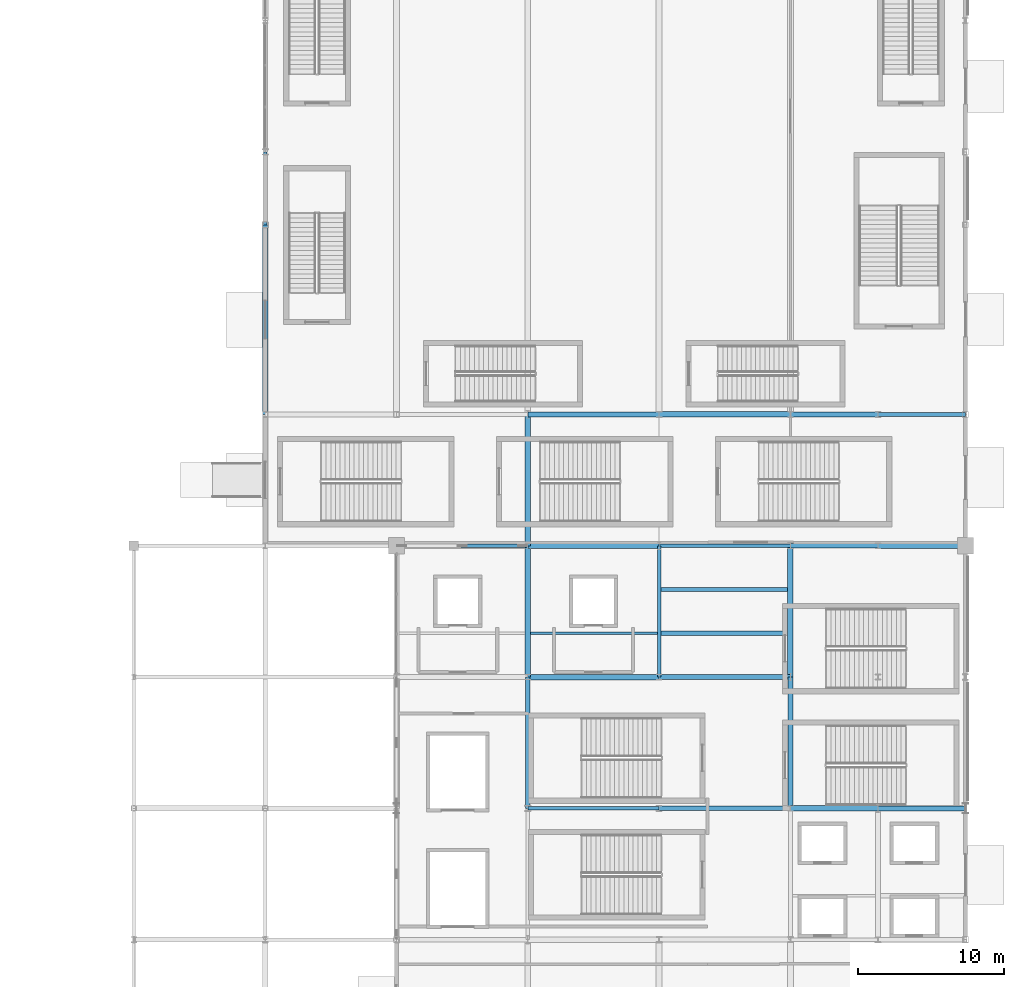
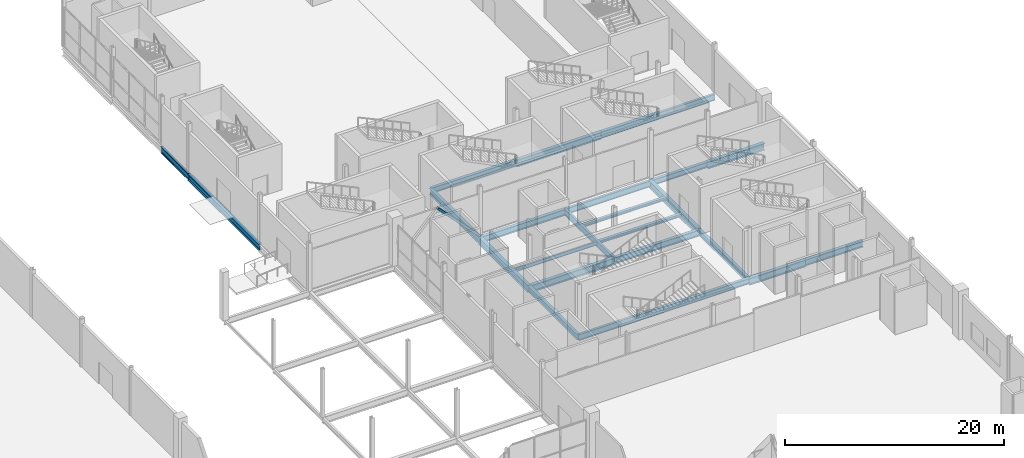
# One storey, part 36 of 94: 25 beams, 1 member.
"""IFC4 building model written with IfcOpenShell, lengths in metres."""

from ifc_helpers import new_model, si_unit, direction, frame, origin, origin_2d, place, context, subcontext, project, spatial, hollow_rectangle, i_section, extrude, material, material_profile, profile_set, type_object, element, save


model = new_model("IFC4")

# Units and contexts
model_context = context("Model", 3, precision=1e-05, world=origin(), true_north=direction((0.0, 1.0)))
body_context = subcontext(model_context, "Body", "Model", "MODEL_VIEW")
ifc_project = project(units=[si_unit("LENGTHUNIT", "METRE"), si_unit("AREAUNIT", "SQUARE_METRE"), si_unit("VOLUMEUNIT", "CUBIC_METRE"), si_unit("PLANEANGLEUNIT", "RADIAN"), si_unit("MASSUNIT", "GRAM", prefix="KILO")], contexts=[model_context])

# Site, building, storey
site_placement = place(None, origin())
site = spatial("IfcSite", under=ifc_project, at=site_placement, CompositionType="ELEMENT")
building_placement = place(site_placement, origin())
building = spatial("IfcBuilding", under=site, at=building_placement, Name="Qamarlyn Nura Convention Centre", CompositionType="ELEMENT")
storey_placement = place(building_placement, origin())
storey = spatial("IfcBuildingStorey", under=building, at=storey_placement, Name="L00", CompositionType="ELEMENT", Elevation=0.0)

# Beams
ifc_material_1 = material(Name="Steel ASTM A992", Category="steel")
ifc_material_profile_1 = material_profile(ifc_material_1, i_section(OverallWidth=0.323974609375, OverallDepth=0.611083984375, WebThickness=0.0126953125, FlangeThickness=0.01904296875, FilletRadius=0.01611328125, at=origin_2d()), Name="W610X155")
ifc_profile_set_1 = profile_set([ifc_material_profile_1], Name="Steel ASTM A992")
beam_type_1 = type_object("IfcBeamType", Name="BM-GIRD-610", PredefinedType="BEAM", material=ifc_profile_set_1)
beam_1_placement = place(storey_placement, frame((171.0, 63.0, -0.5654296875), z_axis=(1.0, 0.0, 0.0), x_axis=(0.0, 1.0, 0.0)))
element("IfcBeam", 1, at=beam_1_placement, inside=storey, type_object=beam_type_1, Name="L00 girder H 15-16", PredefinedType="BEAM", context=body_context, shape_type="SweptSolid", body=[
    extrude(i_section(OverallWidth=0.323974609375, OverallDepth=0.611083984375, WebThickness=0.0126953125, FlangeThickness=0.01904296875, FilletRadius=0.01611328125, at=origin_2d()), origin(), (0.0, 0.0, 1.0), 9.0),
])
beam_2_placement = place(storey_placement, frame((180.0, 81.0, -0.58544921875), z_axis=(1.0, 0.0, 0.0), x_axis=(0.0, 1.0, 0.0)))
element("IfcBeam", 2, at=beam_2_placement, inside=storey, type_object=beam_type_1, Name="L00 girder K 16-17", PredefinedType="BEAM", context=body_context, shape_type="SweptSolid", body=[
    extrude(i_section(OverallWidth=0.323974609375, OverallDepth=0.611083984375, WebThickness=0.0126953125, FlangeThickness=0.01904296875, FilletRadius=0.01611328125, at=origin_2d()), origin(), (0.0, 0.0, 1.0), 6.0),
])
for number, where, z_axis, x_axis, name in (
    (3, (162.0, 90.0, -0.58544921875), (1.0, 0.0, 0.0), (0.0, 1.0, 0.0), "L00 girder L 14-15"),
    (4, (162.0, 63.0, -0.5654296875), (0.0, 1.0, 0.0), (-1.0, 0.0, 0.0), "L00 girder 14 H-J"),
    (5, (180.0, 63.0, -0.5654296875), (0.0, 1.0, 0.0), (-1.0, 0.0, 0.0), "L00 girder 16 H-J"),
):
    element("IfcBeam", number, at=place(storey_placement, frame(where, z_axis=z_axis, x_axis=x_axis)), inside=storey, type_object=beam_type_1, Name=name, PredefinedType="BEAM", context=body_context, shape_type="SweptSolid", body=[
        extrude(i_section(OverallWidth=0.323974609375, OverallDepth=0.611083984375, WebThickness=0.0126953125, FlangeThickness=0.01904296875, FilletRadius=0.01611328125, at=origin_2d()), origin(), (0.0, 0.0, 1.0), 9.0),
    ])
ifc_material_profile_2 = material_profile(ifc_material_1, i_section(OverallWidth=0.35498046875, OverallDepth=0.695068359375, WebThickness=0.015380859375, FlangeThickness=0.02490234375, FilletRadius=0.01806640625, at=origin_2d()), Name="W690X217")
ifc_profile_set_2 = profile_set([ifc_material_profile_2], Name="Steel ASTM A992")
beam_type_2 = type_object("IfcBeamType", Name="BM-GIRD-690A", PredefinedType="BEAM", material=ifc_profile_set_2)
beam_3_placement = place(storey_placement, frame((186.0, 63.0, -0.607421875), z_axis=(1.0, 0.0, 0.0), x_axis=(0.0, 1.0, 0.0)))
element("IfcBeam", 6, at=beam_3_placement, inside=storey, type_object=beam_type_2, Name="L00 girder H 17-18", PredefinedType="BEAM", context=body_context, shape_type="SweptSolid", body=[
    extrude(i_section(OverallWidth=0.35498046875, OverallDepth=0.695068359375, WebThickness=0.015380859375, FlangeThickness=0.02490234375, FilletRadius=0.01806640625, at=origin_2d()), origin(), (0.0, 0.0, 1.0), 6.0),
])
for number, where, z_axis, x_axis, name in (
    (7, (171.0, 72.0, -0.607421875), (1.0, 0.0, 0.0), (0.0, 1.0, 0.0), "L00 girder J 15-16"),
    (8, (162.0, 81.0, -0.62744140625), (1.0, 0.0, 0.0), (0.0, 1.0, 0.0), "L00 girder K 14-15"),
):
    element("IfcBeam", number, at=place(storey_placement, frame(where, z_axis=z_axis, x_axis=x_axis)), inside=storey, type_object=beam_type_2, Name=name, PredefinedType="BEAM", context=body_context, shape_type="SweptSolid", body=[
        extrude(i_section(OverallWidth=0.35498046875, OverallDepth=0.695068359375, WebThickness=0.015380859375, FlangeThickness=0.02490234375, FilletRadius=0.01806640625, at=origin_2d()), origin(), (0.0, 0.0, 1.0), 9.0),
    ])
beam_4_placement = place(storey_placement, frame((180.0, 90.0, -0.62744140625), z_axis=(1.0, 0.0, 0.0), x_axis=(0.0, 1.0, 0.0)))
element("IfcBeam", 9, at=beam_4_placement, inside=storey, type_object=beam_type_2, Name="L00 girder L 16-17", PredefinedType="BEAM", context=body_context, shape_type="SweptSolid", body=[
    extrude(i_section(OverallWidth=0.35498046875, OverallDepth=0.695068359375, WebThickness=0.015380859375, FlangeThickness=0.02490234375, FilletRadius=0.01806640625, at=origin_2d()), origin(), (0.0, 0.0, 1.0), 6.0),
])
beam_5_placement = place(storey_placement, frame((144.0, 90.0, -0.62744140625), z_axis=(0.0, 1.0, 0.0), x_axis=(-1.0, 0.0, 0.0)))
element("IfcBeam", 10, at=beam_5_placement, inside=storey, type_object=beam_type_2, Name="L00 girder 12 L-M", PredefinedType="BEAM", context=body_context, shape_type="SweptSolid", body=[
    extrude(i_section(OverallWidth=0.35498046875, OverallDepth=0.695068359375, WebThickness=0.015380859375, FlangeThickness=0.02490234375, FilletRadius=0.01806640625, at=origin_2d()), origin(), (0.0, 0.0, 1.0), 13.0),
])
beam_6_placement = place(storey_placement, frame((162.0, 81.0, -0.62744140625), z_axis=(0.0, 1.0, 0.0), x_axis=(-1.0, 0.0, 0.0)))
element("IfcBeam", 11, at=beam_6_placement, inside=storey, type_object=beam_type_2, Name="L00 girder 14 K-L", PredefinedType="BEAM", context=body_context, shape_type="SweptSolid", body=[
    extrude(i_section(OverallWidth=0.35498046875, OverallDepth=0.695068359375, WebThickness=0.015380859375, FlangeThickness=0.02490234375, FilletRadius=0.01806640625, at=origin_2d()), origin(), (0.0, 0.0, 1.0), 9.0),
])
ifc_material_profile_3 = material_profile(ifc_material_1, i_section(OverallWidth=0.25390625, OverallDepth=0.68408203125, WebThickness=0.012451171875, FlangeThickness=0.01904296875, FilletRadius=0.01806640625, at=origin_2d()), Name="W690X140")
ifc_profile_set_3 = profile_set([ifc_material_profile_3], Name="Steel ASTM A992")
beam_type_3 = type_object("IfcBeamType", Name="BM-GIRD-690B", PredefinedType="BEAM", material=ifc_profile_set_3)
for number, where, z_axis, x_axis, name in (
    (12, (162.0, 63.0, -0.60205078125), (1.0, 0.0, 0.0), (0.0, 1.0, 0.0), "L00 girder H 14-15"),
    (13, (171.0, 81.0, -0.6220703125), (1.0, 0.0, 0.0), (0.0, 1.0, 0.0), "L00 girder K 15-16"),
):
    element("IfcBeam", number, at=place(storey_placement, frame(where, z_axis=z_axis, x_axis=x_axis)), inside=storey, type_object=beam_type_3, Name=name, PredefinedType="BEAM", context=body_context, shape_type="SweptSolid", body=[
        extrude(i_section(OverallWidth=0.25390625, OverallDepth=0.68408203125, WebThickness=0.012451171875, FlangeThickness=0.01904296875, FilletRadius=0.01806640625, at=origin_2d()), origin(), (0.0, 0.0, 1.0), 9.0),
    ])
beam_7_placement = place(storey_placement, frame((186.0, 90.0, -0.6220703125), z_axis=(1.0, 0.0, 0.0), x_axis=(0.0, 1.0, 0.0)))
element("IfcBeam", 14, at=beam_7_placement, inside=storey, type_object=beam_type_3, Name="L00 girder L 17-18", PredefinedType="BEAM", context=body_context, shape_type="SweptSolid", body=[
    extrude(i_section(OverallWidth=0.25390625, OverallDepth=0.68408203125, WebThickness=0.012451171875, FlangeThickness=0.01904296875, FilletRadius=0.01806640625, at=origin_2d()), origin(), (0.0, 0.0, 1.0), 6.0),
])
beam_8_placement = place(storey_placement, frame((144.0, 103.0, -0.6220703125), z_axis=(0.0, 1.0, 0.0), x_axis=(-1.0, 0.0, 0.0)))
element("IfcBeam", 15, at=beam_8_placement, inside=storey, type_object=beam_type_3, Name="L00 girder 12 M-N", PredefinedType="BEAM", context=body_context, shape_type="SweptSolid", body=[
    extrude(i_section(OverallWidth=0.25390625, OverallDepth=0.68408203125, WebThickness=0.012451171875, FlangeThickness=0.01904296875, FilletRadius=0.01806640625, at=origin_2d()), origin(), (0.0, 0.0, 1.0), 5.0),
])
beam_9_placement = place(storey_placement, frame((171.0, 72.0, -0.60205078125), z_axis=(0.0, 1.0, 0.0), x_axis=(-1.0, 0.0, 0.0)))
element("IfcBeam", 16, at=beam_9_placement, inside=storey, type_object=beam_type_3, Name="L00 girder 15 J-K", PredefinedType="BEAM", context=body_context, shape_type="SweptSolid", body=[
    extrude(i_section(OverallWidth=0.25390625, OverallDepth=0.68408203125, WebThickness=0.012451171875, FlangeThickness=0.01904296875, FilletRadius=0.01806640625, at=origin_2d()), origin(), (0.0, 0.0, 1.0), 9.0),
])
ifc_material_profile_4 = material_profile(ifc_material_1, i_section(OverallWidth=0.381103515625, OverallDepth=0.77294921875, WebThickness=0.0166015625, FlangeThickness=0.027587890625, FilletRadius=0.02001953125, at=origin_2d()), Name="W760X257")
ifc_profile_set_4 = profile_set([ifc_material_profile_4], Name="Steel ASTM A992")
beam_type_4 = type_object("IfcBeamType", Name="BM-GIRD-760", PredefinedType="BEAM", material=ifc_profile_set_4)
beam_10_placement = place(storey_placement, frame((180.0, 63.0, -0.646484375), z_axis=(1.0, 0.0, 0.0), x_axis=(0.0, 1.0, 0.0)))
element("IfcBeam", 17, at=beam_10_placement, inside=storey, type_object=beam_type_4, Name="L00 girder H 16-17", PredefinedType="BEAM", context=body_context, shape_type="SweptSolid", body=[
    extrude(i_section(OverallWidth=0.381103515625, OverallDepth=0.77294921875, WebThickness=0.0166015625, FlangeThickness=0.027587890625, FilletRadius=0.02001953125, at=origin_2d()), origin(), (0.0, 0.0, 1.0), 6.0),
])
beam_11_placement = place(storey_placement, frame((162.0, 72.0, -0.646484375), z_axis=(1.0, 0.0, 0.0), x_axis=(0.0, 1.0, 0.0)))
element("IfcBeam", 18, at=beam_11_placement, inside=storey, type_object=beam_type_4, Name="L00 girder J 14-15", PredefinedType="BEAM", context=body_context, shape_type="SweptSolid", body=[
    extrude(i_section(OverallWidth=0.381103515625, OverallDepth=0.77294921875, WebThickness=0.0166015625, FlangeThickness=0.027587890625, FilletRadius=0.02001953125, at=origin_2d()), origin(), (0.0, 0.0, 1.0), 9.0),
])
beam_12_placement = place(storey_placement, frame((186.0, 81.0, -0.66650390625), z_axis=(1.0, 0.0, 0.0), x_axis=(0.0, 1.0, 0.0)))
element("IfcBeam", 19, at=beam_12_placement, inside=storey, type_object=beam_type_4, Name="L00 girder K 17-18", PredefinedType="BEAM", context=body_context, shape_type="SweptSolid", body=[
    extrude(i_section(OverallWidth=0.381103515625, OverallDepth=0.77294921875, WebThickness=0.0166015625, FlangeThickness=0.027587890625, FilletRadius=0.02001953125, at=origin_2d()), origin(), (0.0, 0.0, 1.0), 6.0),
])
for number, where, z_axis, x_axis, name in (
    (20, (171.0, 90.0, -0.66650390625), (1.0, 0.0, 0.0), (0.0, 1.0, 0.0), "L00 girder L 15-16"),
    (21, (162.0, 72.0, -0.646484375), (0.0, 1.0, 0.0), (-1.0, 0.0, 0.0), "L00 girder 14 J-K"),
    (22, (180.0, 72.0, -0.646484375), (0.0, 1.0, 0.0), (-1.0, 0.0, 0.0), "L00 girder 16 J-K"),
):
    element("IfcBeam", number, at=place(storey_placement, frame(where, z_axis=z_axis, x_axis=x_axis)), inside=storey, type_object=beam_type_4, Name=name, PredefinedType="BEAM", context=body_context, shape_type="SweptSolid", body=[
        extrude(i_section(OverallWidth=0.381103515625, OverallDepth=0.77294921875, WebThickness=0.0166015625, FlangeThickness=0.027587890625, FilletRadius=0.02001953125, at=origin_2d()), origin(), (0.0, 0.0, 1.0), 9.0),
    ])
ifc_material_profile_5 = material_profile(ifc_material_1, i_section(OverallWidth=0.304931640625, OverallDepth=0.30810546875, WebThickness=0.010009765625, FlangeThickness=0.015380859375, FilletRadius=0.014892578125, at=origin_2d()), Name="W310X97")
ifc_profile_set_5 = profile_set([ifc_material_profile_5], Name="Steel ASTM A992")
beam_type_5 = type_object("IfcBeamType", Name="BM-JOIST-310", PredefinedType="JOIST", material=ifc_profile_set_5)
for number, where, z_axis, x_axis, name in (
    (23, (171.126953125, 75.0, -0.4140625), (1.0, 0.0, 0.0), (0.0, 1.0, 0.0), "L00 composite joist 15-16/J+1"),
    (24, (171.126953125, 78.0, -0.4140625), (1.0, 0.0, 0.0), (0.0, 1.0, 0.0), "L00 composite joist 15-16/J+2"),
):
    element("IfcBeam", number, at=place(storey_placement, frame(where, z_axis=z_axis, x_axis=x_axis)), inside=storey, type_object=beam_type_5, Name=name, PredefinedType="JOIST", context=body_context, shape_type="SweptSolid", body=[
        extrude(i_section(OverallWidth=0.304931640625, OverallDepth=0.30810546875, WebThickness=0.010009765625, FlangeThickness=0.015380859375, FilletRadius=0.014892578125, at=origin_2d()), origin(), (0.0, 0.0, 1.0), 8.6826171875),
    ])
ifc_material_profile_6 = material_profile(ifc_material_1, i_section(OverallWidth=0.177978515625, OverallDepth=0.406982421875, WebThickness=0.0078125, FlangeThickness=0.0126953125, FilletRadius=0.011962890625, at=origin_2d()), Name="W410X60")
ifc_profile_set_6 = profile_set([ifc_material_profile_6], Name="Steel ASTM A992")
beam_type_6 = type_object("IfcBeamType", Name="BM-JOIST-410", PredefinedType="JOIST", material=ifc_profile_set_6)
beam_13_placement = place(storey_placement, frame((162.1904296875, 75.0, -0.46337890625), z_axis=(1.0, 0.0, 0.0), x_axis=(0.0, 1.0, 0.0)))
element("IfcBeam", 25, at=beam_13_placement, inside=storey, type_object=beam_type_6, Name="L00 composite joist 14-15/J+1", PredefinedType="JOIST", context=body_context, shape_type="SweptSolid", body=[
    extrude(i_section(OverallWidth=0.177978515625, OverallDepth=0.406982421875, WebThickness=0.0078125, FlangeThickness=0.0126953125, FilletRadius=0.011962890625, at=origin_2d()), origin(), (0.0, 0.0, 1.0), 8.6826171875),
])

# Member
ifc_material_2 = material(Name="Steel ASTM A500 Grade C", Category="steel")
ifc_material_profile_7 = material_profile(ifc_material_2, hollow_rectangle(XDim=0.25, YDim=0.25, WallThickness=0.012451171875, InnerFilletRadius=0.012451171875, OuterFilletRadius=0.02490234375, at=origin_2d()), Name="HSS250X250X12.5")
ifc_profile_set_7 = profile_set([ifc_material_profile_7], Name="Steel ASTM A500 Grade C")
member_type = type_object("IfcMemberType", Name="CBF-BRC-250", PredefinedType="BRACE", material=ifc_profile_set_7)
member_placement = place(storey_placement, frame((161.820068359375, 81.0, 0.0), z_axis=(-0.694456524351, 0.0, 0.719534666146), x_axis=(0.0, -1.0, 0.0)))
element("IfcMember", 26, at=member_placement, inside=storey, type_object=member_type, Name="L00 SCBF chevron brace CBF-N1R", PredefinedType="BRACE", context=body_context, shape_type="SweptSolid", body=[
    extrude(hollow_rectangle(XDim=0.25, YDim=0.25, WallThickness=0.012451171875, InnerFilletRadius=0.012451171875, OuterFilletRadius=0.02490234375, at=origin_2d()), origin(), (0.0, 0.0, 1.0), 6.220703125),
])

save(model, "model.ifc")
